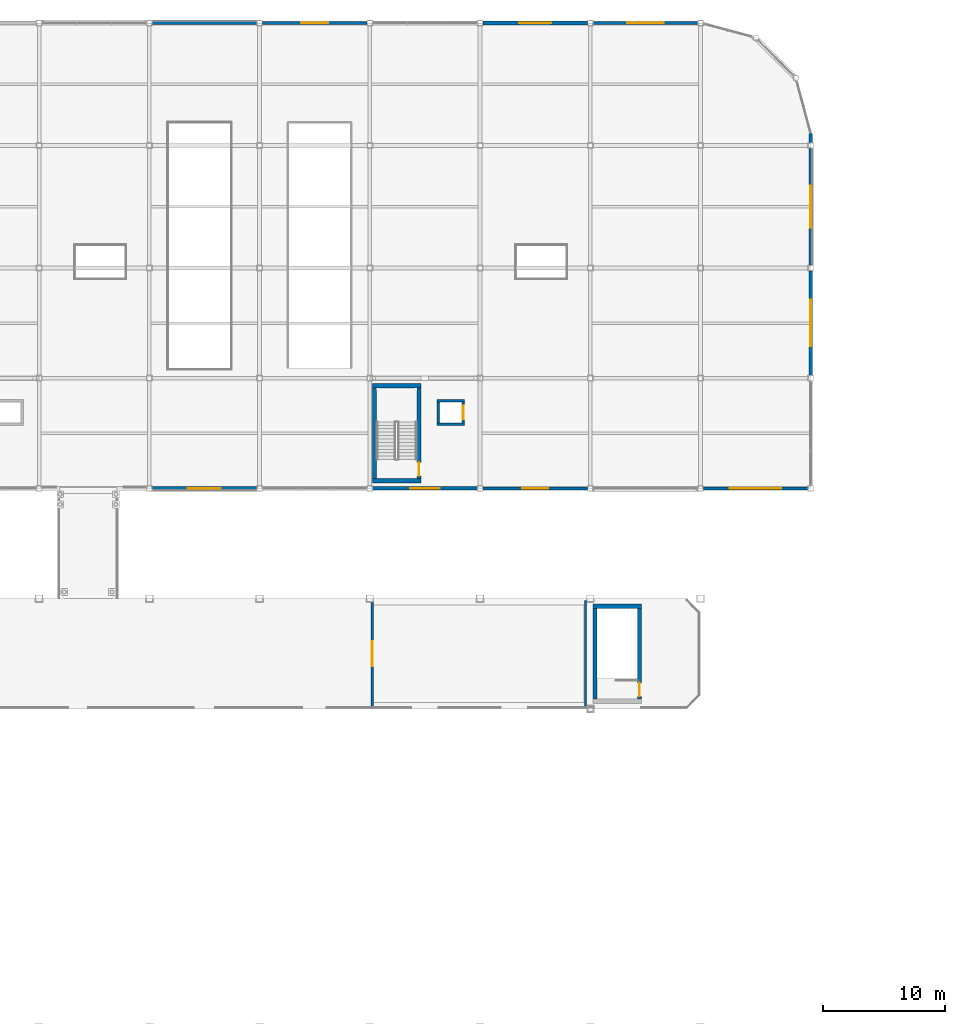
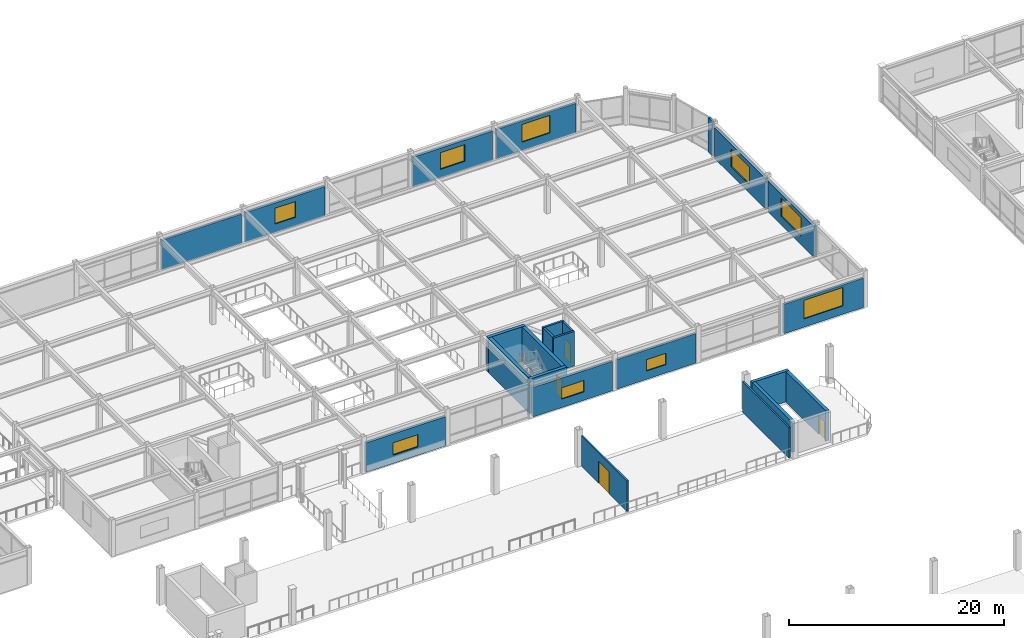
# One storey, part 76 of 105: 24 walls, 9 windows, 4 doors, 13 openings.
"""IFC4 building model written with IfcOpenShell, lengths in metres."""

from ifc_helpers import new_model, si_unit, direction, frame, frame_2d, origin, place, context, subcontext, project, spatial, rectangle, extrude, material, layer, layer_set, type_object, element, fill, save


model = new_model("IFC4")

# Units and contexts
model_context = context("Model", 3, precision=1e-05, world=origin(), true_north=direction((0.0, 1.0)))
body_context = subcontext(model_context, "Body", "Model", "MODEL_VIEW")
ifc_project = project(units=[si_unit("LENGTHUNIT", "METRE"), si_unit("AREAUNIT", "SQUARE_METRE"), si_unit("VOLUMEUNIT", "CUBIC_METRE"), si_unit("PLANEANGLEUNIT", "RADIAN"), si_unit("MASSUNIT", "GRAM", prefix="KILO")], contexts=[model_context])

# Site, building, storey
site_placement = place(None, origin())
site = spatial("IfcSite", under=ifc_project, at=site_placement, CompositionType="ELEMENT")
building_placement = place(site_placement, origin())
building = spatial("IfcBuilding", under=site, at=building_placement, Name="Suzunagisa Mobility Hub", CompositionType="ELEMENT")
storey_placement = place(building_placement, frame((0.0, 0.0, 5.10009765625)))
storey = spatial("IfcBuildingStorey", under=building, at=storey_placement, Name="L01", CompositionType="ELEMENT", Elevation=5.10009765625)

# Wall, opening, window
ifc_material_1 = material(Name="Porcelain-Faced Insulated Concrete C30/37 Wall", Category="concrete")
ifc_layer_1 = layer(ifc_material_1, 0.260009765625)
ifc_layer_set_1 = layer_set([ifc_layer_1], Name="Porcelain-Faced Insulated Concrete C30/37 Wall")
wall_type_1 = type_object("IfcWallType", Name="Exterior Wall EW-03 260mm", PredefinedType="SOLIDWALL", material=ifc_layer_set_1)
wall_1_placement = place(storey_placement, frame((99.22509765625, 80.0, 0.0), z_axis=(0.0, 0.0, 1.0), x_axis=(1.0, 0.0, 0.0)))
wall_1 = element("IfcWall", 1, at=wall_1_placement, inside=storey, type_object=wall_type_1, Name="L01 Exterior Facade Wall EW-182", PredefinedType="SOLIDWALL", context=body_context, shape_type="SweptSolid", body=[
    extrude(rectangle(XDim=8.5498046875, YDim=0.260009765625, at=frame_2d((4.27490234375, 0.0))), origin(), (0.0, 0.0, 1.0), 3.351806640625),
])
opening_1_placement = place(wall_1_placement, frame((3.22509765625, 0.0, 0.949951171875)))
opening_1 = element("IfcOpeningElement", 2, at=opening_1_placement, cuts=wall_1, Name="Opening WN-07", PredefinedType="OPENING", context=body_context, shape_type="SweptSolid", body=[
    extrude(rectangle(XDim=2.10009765625, YDim=1.300048828125, at=frame_2d((1.050048828125, 0.64990234375))), frame((0.0, 0.14111328125, 0.0), z_axis=(0.0, -1.0, 0.0), x_axis=(1.0, 0.0, 0.0)), (0.0, 0.0, 1.0), 0.281982421875),
])
ifc_material_2 = material(Name="Thermally Broken Anodized Aluminum and Low-E Double Glazing", Category="aluminium")
window_type_1 = type_object("IfcWindowType", Name="Aluminum Window WN-07 2100x1300", PartitioningType="SINGLE_PANEL", PredefinedType="WINDOW", material=ifc_material_2)
window_1_placement = place(opening_1_placement, origin())
window_1 = element("IfcWindow", 3, at=window_1_placement, inside=storey, type_object=window_type_1, Name="L01 Scheduled Facade Window WN-56", OverallHeight=1.300048828125, OverallWidth=2.10009765625, PartitioningType="SINGLE_PANEL", PredefinedType="WINDOW", context=body_context, shape_type="SweptSolid", body=[
    extrude(rectangle(XDim=2.10009765625, YDim=1.300048828125, at=frame_2d((1.050048828125, 0.64990234375))), frame((0.0, 0.030029296875, 0.0), z_axis=(0.0, -1.0, 0.0), x_axis=(1.0, 0.0, 0.0)), (0.0, 0.0, 1.0), 0.06005859375),
])
fill(opening_1, window_1)

# Walls
wall_2_placement = place(storey_placement, frame((126.0, 108.22509765625, 0.0), z_axis=(0.0, 0.0, 1.0), x_axis=(0.0, 1.0, 0.0)))
element("IfcWall", 4, at=wall_2_placement, inside=storey, type_object=wall_type_1, Name="L01 Exterior Facade Wall EW-186", PredefinedType="SOLIDWALL", context=body_context, shape_type="SweptSolid", body=[
    extrude(rectangle(XDim=0.77490234375, YDim=0.260009765625, at=frame_2d((0.387451171875, 0.0))), origin(), (0.0, 0.0, 1.0), 3.93994140625),
])
wall_3_placement = place(storey_placement, frame((80.77490234375, 118.0, 0.0), z_axis=(0.0, 0.0, 1.0), x_axis=(-1.0, 0.0, 0.0)))
element("IfcWall", 5, at=wall_3_placement, inside=storey, type_object=wall_type_1, Name="L01 Exterior Facade Wall EW-190", PredefinedType="SOLIDWALL", context=body_context, shape_type="SweptSolid", body=[
    extrude(rectangle(XDim=8.5498046875, YDim=0.260009765625, at=frame_2d((4.27490234375, 0.0))), origin(), (0.0, 0.0, 1.0), 3.351806640625),
])

# Wall, opening, window
ifc_material_3 = material(Name="Lightweight Insulated Autoclaved Concrete C30/37 Wall", Category="concrete")
ifc_layer_2 = layer(ifc_material_3, 0.239990234375)
ifc_layer_set_2 = layer_set([ifc_layer_2], Name="Lightweight Insulated Autoclaved Concrete C30/37 Wall")
wall_type_2 = type_object("IfcWallType", Name="Exterior Wall EW-04 240mm", PredefinedType="SOLIDWALL", material=ifc_layer_set_2)
wall_4_placement = place(storey_placement, frame((117.22509765625, 80.0, 0.0), z_axis=(0.0, 0.0, 1.0), x_axis=(1.0, 0.0, 0.0)))
wall_4 = element("IfcWall", 6, at=wall_4_placement, inside=storey, type_object=wall_type_2, Name="L01 Exterior Facade Wall EW-183", PredefinedType="SOLIDWALL", context=body_context, shape_type="SweptSolid", body=[
    extrude(rectangle(XDim=8.5498046875, YDim=0.239990234375, at=frame_2d((4.27490234375, 0.0))), origin(), (0.0, 0.0, 1.0), 3.351806640625),
])
opening_2_placement = place(wall_4_placement, frame((2.175048828125, 0.0, 0.949951171875)))
opening_2 = element("IfcOpeningElement", 7, at=opening_2_placement, cuts=wall_4, Name="Opening WN-16", PredefinedType="OPENING", context=body_context, shape_type="SweptSolid", body=[
    extrude(rectangle(XDim=4.199951171875, YDim=2.10009765625, at=frame_2d((2.10009765625, 1.050048828125))), frame((0.0, 0.130859375, 0.0), z_axis=(0.0, -1.0, 0.0), x_axis=(1.0, 0.0, 0.0)), (0.0, 0.0, 1.0), 0.261962890625),
])
window_type_2 = type_object("IfcWindowType", Name="Aluminum Window WN-16 4200x2100", PartitioningType="SINGLE_PANEL", PredefinedType="WINDOW", material=ifc_material_2)
window_2_placement = place(opening_2_placement, origin())
window_2 = element("IfcWindow", 8, at=window_2_placement, inside=storey, type_object=window_type_2, Name="L01 Scheduled Facade Window WN-57", OverallHeight=2.10009765625, OverallWidth=4.199951171875, PartitioningType="SINGLE_PANEL", PredefinedType="WINDOW", context=body_context, shape_type="SweptSolid", body=[
    extrude(rectangle(XDim=4.199951171875, YDim=2.10009765625, at=frame_2d((2.10009765625, 1.050048828125))), frame((0.0, 0.030029296875, 0.0), z_axis=(0.0, -1.0, 0.0), x_axis=(1.0, 0.0, 0.0)), (0.0, 0.0, 1.0), 0.06005859375),
])
fill(opening_2, window_2)

wall_5_placement = place(storey_placement, frame((116.77490234375, 118.0, 0.0), z_axis=(0.0, 0.0, 1.0), x_axis=(-1.0, 0.0, 0.0)))
wall_5 = element("IfcWall", 9, at=wall_5_placement, inside=storey, type_object=wall_type_2, Name="L01 Exterior Facade Wall EW-187", PredefinedType="SOLIDWALL", context=body_context, shape_type="SweptSolid", body=[
    extrude(rectangle(XDim=8.5498046875, YDim=0.239990234375, at=frame_2d((4.27490234375, 0.0))), origin(), (0.0, 0.0, 1.0), 3.351806640625),
])
opening_3_placement = place(wall_5_placement, frame((2.77490234375, 0.0, 0.949951171875)))
opening_3 = element("IfcOpeningElement", 10, at=opening_3_placement, cuts=wall_5, Name="Opening WN-03", PredefinedType="OPENING", context=body_context, shape_type="SweptSolid", body=[
    extrude(rectangle(XDim=3.0, YDim=2.0, at=frame_2d((1.5, 1.0))), frame((0.0, 0.130859375, 0.0), z_axis=(0.0, -1.0, 0.0), x_axis=(1.0, 0.0, 0.0)), (0.0, 0.0, 1.0), 0.261962890625),
])
window_type_3 = type_object("IfcWindowType", Name="Aluminum Window WN-03 3000x2000", PartitioningType="SINGLE_PANEL", PredefinedType="WINDOW", material=ifc_material_2)
window_3_placement = place(opening_3_placement, origin())
window_3 = element("IfcWindow", 11, at=window_3_placement, inside=storey, type_object=window_type_3, Name="L01 Scheduled Facade Window WN-60", OverallHeight=2.0, OverallWidth=3.0, PartitioningType="SINGLE_PANEL", PredefinedType="WINDOW", context=body_context, shape_type="SweptSolid", body=[
    extrude(rectangle(XDim=3.0, YDim=2.0, at=frame_2d((1.5, 1.0))), frame((0.0, 0.030029296875, 0.0), z_axis=(0.0, -1.0, 0.0), x_axis=(1.0, 0.0, 0.0)), (0.0, 0.0, 1.0), 0.06005859375),
])
fill(opening_3, window_3)

ifc_layer_3 = layer(ifc_material_1, 0.280029296875)
ifc_layer_set_3 = layer_set([ifc_layer_3], Name="Porcelain-Faced Insulated Concrete C30/37 Wall")
wall_type_3 = type_object("IfcWallType", Name="Exterior Wall EW-08 280mm", PredefinedType="SOLIDWALL", material=ifc_layer_set_3)
wall_6_placement = place(storey_placement, frame((90.22509765625, 80.0, 0.0), z_axis=(0.0, 0.0, 1.0), x_axis=(1.0, 0.0, 0.0)))
wall_6 = element("IfcWall", 12, at=wall_6_placement, inside=storey, type_object=wall_type_3, Name="L01 Exterior Facade Wall EW-181", PredefinedType="SOLIDWALL", context=body_context, shape_type="SweptSolid", body=[
    extrude(rectangle(XDim=8.5498046875, YDim=0.280029296875, at=frame_2d((4.27490234375, 0.0))), origin(), (0.0, 0.0, 1.0), 3.351806640625),
])
opening_4_placement = place(wall_6_placement, frame((3.074951171875, 0.0, 0.949951171875)))
opening_4 = element("IfcOpeningElement", 13, at=opening_4_placement, cuts=wall_6, Name="Opening WN-30", PredefinedType="OPENING", context=body_context, shape_type="SweptSolid", body=[
    extrude(rectangle(XDim=2.39990234375, YDim=1.300048828125, at=frame_2d((1.199951171875, 0.64990234375))), frame((0.0, 0.15087890625, 0.0), z_axis=(0.0, -1.0, 0.0), x_axis=(1.0, 0.0, 0.0)), (0.0, 0.0, 1.0), 0.302001953125),
])
window_type_4 = type_object("IfcWindowType", Name="Aluminum Window WN-30 2400x1300", PartitioningType="SINGLE_PANEL", PredefinedType="WINDOW", material=ifc_material_2)
window_4_placement = place(opening_4_placement, origin())
window_4 = element("IfcWindow", 14, at=window_4_placement, inside=storey, type_object=window_type_4, Name="L01 Scheduled Facade Window WN-55", OverallHeight=1.300048828125, OverallWidth=2.39990234375, PartitioningType="SINGLE_PANEL", PredefinedType="WINDOW", context=body_context, shape_type="SweptSolid", body=[
    extrude(rectangle(XDim=2.39990234375, YDim=1.300048828125, at=frame_2d((1.199951171875, 0.64990234375))), frame((0.0, 0.030029296875, 0.0), z_axis=(0.0, -1.0, 0.0), x_axis=(1.0, 0.0, 0.0)), (0.0, 0.0, 1.0), 0.06005859375),
])
fill(opening_4, window_4)

wall_7_placement = place(storey_placement, frame((126.0, 98.22509765625, 0.0), z_axis=(0.0, 0.0, 1.0), x_axis=(0.0, 1.0, 0.0)))
wall_7 = element("IfcWall", 15, at=wall_7_placement, inside=storey, type_object=wall_type_3, Name="L01 Exterior Facade Wall EW-185", PredefinedType="SOLIDWALL", context=body_context, shape_type="SweptSolid", body=[
    extrude(rectangle(XDim=9.5498046875, YDim=0.280029296875, at=frame_2d((4.77490234375, 0.0))), origin(), (0.0, 0.0, 1.0), 3.489990234375),
])
opening_5_placement = place(wall_7_placement, frame((3.074951171875, 0.0, 0.949951171875)))
opening_5 = element("IfcOpeningElement", 16, at=opening_5_placement, cuts=wall_7, Name="Opening WN-06", PredefinedType="OPENING", context=body_context, shape_type="SweptSolid", body=[
    extrude(rectangle(XDim=3.39990234375, YDim=2.0, at=frame_2d((1.699951171875, 1.0))), frame((0.0, 0.15087890625, 0.0), z_axis=(0.0, -1.0, 0.0), x_axis=(1.0, 0.0, 0.0)), (0.0, 0.0, 1.0), 0.302001953125),
])
window_type_5 = type_object("IfcWindowType", Name="Aluminum Window WN-06 3400x2000", PartitioningType="SINGLE_PANEL", PredefinedType="WINDOW", material=ifc_material_2)
window_5_placement = place(opening_5_placement, origin())
window_5 = element("IfcWindow", 17, at=window_5_placement, inside=storey, type_object=window_type_5, Name="L01 Scheduled Facade Window WN-59", OverallHeight=2.0, OverallWidth=3.39990234375, PartitioningType="SINGLE_PANEL", PredefinedType="WINDOW", context=body_context, shape_type="SweptSolid", body=[
    extrude(rectangle(XDim=3.39990234375, YDim=2.0, at=frame_2d((1.699951171875, 1.0))), frame((0.0, 0.030029296875, 0.0), z_axis=(0.0, -1.0, 0.0), x_axis=(1.0, 0.0, 0.0)), (0.0, 0.0, 1.0), 0.06005859375),
])
fill(opening_5, window_5)

wall_8_placement = place(storey_placement, frame((89.77490234375, 118.0, 0.0), z_axis=(0.0, 0.0, 1.0), x_axis=(-1.0, 0.0, 0.0)))
wall_8 = element("IfcWall", 18, at=wall_8_placement, inside=storey, type_object=wall_type_3, Name="L01 Exterior Facade Wall EW-189", PredefinedType="SOLIDWALL", context=body_context, shape_type="SweptSolid", body=[
    extrude(rectangle(XDim=8.5498046875, YDim=0.280029296875, at=frame_2d((4.27490234375, 0.0))), origin(), (0.0, 0.0, 1.0), 3.351806640625),
])
opening_6_placement = place(wall_8_placement, frame((3.175048828125, 0.0, 0.949951171875)))
opening_6 = element("IfcOpeningElement", 19, at=opening_6_placement, cuts=wall_8, Name="Opening WN-08", PredefinedType="OPENING", context=body_context, shape_type="SweptSolid", body=[
    extrude(rectangle(XDim=2.199951171875, YDim=1.800048828125, at=frame_2d((1.10009765625, 0.89990234375))), frame((0.0, 0.15087890625, 0.0), z_axis=(0.0, -1.0, 0.0), x_axis=(1.0, 0.0, 0.0)), (0.0, 0.0, 1.0), 0.302001953125),
])
window_type_6 = type_object("IfcWindowType", Name="Aluminum Window WN-08 2200x1800", PartitioningType="SINGLE_PANEL", PredefinedType="WINDOW", material=ifc_material_2)
window_6_placement = place(opening_6_placement, origin())
window_6 = element("IfcWindow", 20, at=window_6_placement, inside=storey, type_object=window_type_6, Name="L01 Scheduled Facade Window WN-62", OverallHeight=1.800048828125, OverallWidth=2.199951171875, PartitioningType="SINGLE_PANEL", PredefinedType="WINDOW", context=body_context, shape_type="SweptSolid", body=[
    extrude(rectangle(XDim=2.199951171875, YDim=1.800048828125, at=frame_2d((1.10009765625, 0.89990234375))), frame((0.0, 0.030029296875, 0.0), z_axis=(0.0, -1.0, 0.0), x_axis=(1.0, 0.0, 0.0)), (0.0, 0.0, 1.0), 0.06005859375),
])
fill(opening_6, window_6)

ifc_material_4 = material(Name="Insulated Precast Concrete C35/45 Panel", Category="concrete")
ifc_layer_4 = layer(ifc_material_4, 0.300048828125)
ifc_layer_set_4 = layer_set([ifc_layer_4], Name="Insulated Precast Concrete C35/45 Panel")
wall_type_4 = type_object("IfcWallType", Name="Exterior Wall EW-09 300mm", PredefinedType="SOLIDWALL", material=ifc_layer_set_4)
wall_9_placement = place(storey_placement, frame((72.22509765625, 80.0, 0.0), z_axis=(0.0, 0.0, 1.0), x_axis=(1.0, 0.0, 0.0)))
wall_9 = element("IfcWall", 21, at=wall_9_placement, inside=storey, type_object=wall_type_4, Name="L01 Exterior Facade Wall EW-180", PredefinedType="SOLIDWALL", context=body_context, shape_type="SweptSolid", body=[
    extrude(rectangle(XDim=8.5498046875, YDim=0.300048828125, at=frame_2d((4.27490234375, 0.0))), origin(), (0.0, 0.0, 1.0), 3.351806640625),
])
opening_7_placement = place(wall_9_placement, frame((2.925048828125, 0.0, 0.949951171875)))
opening_7 = element("IfcOpeningElement", 22, at=opening_7_placement, cuts=wall_9, Name="Opening WN-20", PredefinedType="OPENING", context=body_context, shape_type="SweptSolid", body=[
    extrude(rectangle(XDim=2.699951171875, YDim=1.39990234375, at=frame_2d((1.35009765625, 0.699951171875))), frame((0.0, 0.1611328125, 0.0), z_axis=(0.0, -1.0, 0.0), x_axis=(1.0, 0.0, 0.0)), (0.0, 0.0, 1.0), 0.322021484375),
])
window_type_7 = type_object("IfcWindowType", Name="Aluminum Window WN-20 2700x1400", PartitioningType="SINGLE_PANEL", PredefinedType="WINDOW", material=ifc_material_2)
window_7_placement = place(opening_7_placement, origin())
window_7 = element("IfcWindow", 23, at=window_7_placement, inside=storey, type_object=window_type_7, Name="L01 Scheduled Facade Window WN-54", OverallHeight=1.39990234375, OverallWidth=2.699951171875, PartitioningType="SINGLE_PANEL", PredefinedType="WINDOW", context=body_context, shape_type="SweptSolid", body=[
    extrude(rectangle(XDim=2.699951171875, YDim=1.39990234375, at=frame_2d((1.35009765625, 0.699951171875))), frame((0.0, 0.030029296875, 0.0), z_axis=(0.0, -1.0, 0.0), x_axis=(1.0, 0.0, 0.0)), (0.0, 0.0, 1.0), 0.06005859375),
])
fill(opening_7, window_7)

wall_10_placement = place(storey_placement, frame((126.0, 89.22509765625, 0.0), z_axis=(0.0, 0.0, 1.0), x_axis=(0.0, 1.0, 0.0)))
wall_10 = element("IfcWall", 24, at=wall_10_placement, inside=storey, type_object=wall_type_4, Name="L01 Exterior Facade Wall EW-184", PredefinedType="SOLIDWALL", context=body_context, shape_type="SweptSolid", body=[
    extrude(rectangle(XDim=8.5498046875, YDim=0.300048828125, at=frame_2d((4.27490234375, 0.0))), origin(), (0.0, 0.0, 1.0), 3.489990234375),
])
opening_8_placement = place(wall_10_placement, frame((2.375, 0.0, 0.949951171875)))
opening_8 = element("IfcOpeningElement", 25, at=opening_8_placement, cuts=wall_10, Name="Opening WN-18", PredefinedType="OPENING", context=body_context, shape_type="SweptSolid", body=[
    extrude(rectangle(XDim=3.800048828125, YDim=2.10009765625, at=frame_2d((1.89990234375, 1.050048828125))), frame((0.0, 0.1611328125, 0.0), z_axis=(0.0, -1.0, 0.0), x_axis=(1.0, 0.0, 0.0)), (0.0, 0.0, 1.0), 0.322021484375),
])
window_type_8 = type_object("IfcWindowType", Name="Aluminum Window WN-18 3800x2100", PartitioningType="SINGLE_PANEL", PredefinedType="WINDOW", material=ifc_material_2)
window_8_placement = place(opening_8_placement, origin())
window_8 = element("IfcWindow", 26, at=window_8_placement, inside=storey, type_object=window_type_8, Name="L01 Scheduled Facade Window WN-58", OverallHeight=2.10009765625, OverallWidth=3.800048828125, PartitioningType="SINGLE_PANEL", PredefinedType="WINDOW", context=body_context, shape_type="SweptSolid", body=[
    extrude(rectangle(XDim=3.800048828125, YDim=2.10009765625, at=frame_2d((1.89990234375, 1.050048828125))), frame((0.0, 0.030029296875, 0.0), z_axis=(0.0, -1.0, 0.0), x_axis=(1.0, 0.0, 0.0)), (0.0, 0.0, 1.0), 0.06005859375),
])
fill(opening_8, window_8)

wall_11_placement = place(storey_placement, frame((107.77490234375, 118.0, 0.0), z_axis=(0.0, 0.0, 1.0), x_axis=(-1.0, 0.0, 0.0)))
wall_11 = element("IfcWall", 27, at=wall_11_placement, inside=storey, type_object=wall_type_4, Name="L01 Exterior Facade Wall EW-188", PredefinedType="SOLIDWALL", context=body_context, shape_type="SweptSolid", body=[
    extrude(rectangle(XDim=8.5498046875, YDim=0.300048828125, at=frame_2d((4.27490234375, 0.0))), origin(), (0.0, 0.0, 1.0), 3.351806640625),
])
opening_9_placement = place(wall_11_placement, frame((2.97509765625, 0.0, 0.949951171875)))
opening_9 = element("IfcOpeningElement", 28, at=opening_9_placement, cuts=wall_11, Name="Opening WN-24", PredefinedType="OPENING", context=body_context, shape_type="SweptSolid", body=[
    extrude(rectangle(XDim=2.60009765625, YDim=1.89990234375, at=frame_2d((1.300048828125, 0.949951171875))), frame((0.0, 0.1611328125, 0.0), z_axis=(0.0, -1.0, 0.0), x_axis=(1.0, 0.0, 0.0)), (0.0, 0.0, 1.0), 0.322021484375),
])
window_type_9 = type_object("IfcWindowType", Name="Aluminum Window WN-24 2600x1900", PartitioningType="SINGLE_PANEL", PredefinedType="WINDOW", material=ifc_material_2)
window_9_placement = place(opening_9_placement, origin())
window_9 = element("IfcWindow", 29, at=window_9_placement, inside=storey, type_object=window_type_9, Name="L01 Scheduled Facade Window WN-61", OverallHeight=1.89990234375, OverallWidth=2.60009765625, PartitioningType="SINGLE_PANEL", PredefinedType="WINDOW", context=body_context, shape_type="SweptSolid", body=[
    extrude(rectangle(XDim=2.60009765625, YDim=1.89990234375, at=frame_2d((1.300048828125, 0.949951171875))), frame((0.0, 0.030029296875, 0.0), z_axis=(0.0, -1.0, 0.0), x_axis=(1.0, 0.0, 0.0)), (0.0, 0.0, 1.0), 0.06005859375),
])
fill(opening_9, window_9)

# Wall, opening, door
ifc_material_5 = material(Name="Fire-Rated Gypsum Stud Partition", Category="gypsum")
ifc_layer_5 = layer(ifc_material_5, 0.2099609375)
ifc_layer_set_5 = layer_set([ifc_layer_5], Name="Fire-Rated Gypsum Stud Partition")
wall_type_5 = type_object("IfcWallType", Name="Interior Wall IW-03 210mm", PredefinedType="PARTITIONING", material=ifc_layer_set_5)
wall_12_placement = place(storey_placement, frame((97.625, 85.330078125, 0.0), z_axis=(0.0, 0.0, 1.0), x_axis=(0.0, 1.0, 0.0)))
wall_12 = element("IfcWall", 30, at=wall_12_placement, inside=storey, type_object=wall_type_5, Name="L01 Lift LF-07 Shaft Front Wall", PredefinedType="PARTITIONING", context=body_context, shape_type="SweptSolid", body=[
    extrude(rectangle(XDim=1.739990234375, YDim=0.2099609375, at=frame_2d((0.8701171875, 0.0))), origin(), (0.0, 0.0, 1.0), 3.93994140625),
])
opening_10_placement = place(wall_12_placement, frame((0.320068359375, 0.0, 0.0)))
opening_10 = element("IfcOpeningElement", 31, at=opening_10_placement, cuts=wall_12, Name="Opening LD-01", PredefinedType="OPENING", context=body_context, shape_type="SweptSolid", body=[
    extrude(rectangle(XDim=1.10009765625, YDim=2.14990234375, at=frame_2d((0.550048828125, 1.074951171875))), frame((0.0, 0.115966796875, 0.0), z_axis=(0.0, -1.0, 0.0), x_axis=(1.0, 0.0, 0.0)), (0.0, 0.0, 1.0), 0.23193359375),
])
ifc_material_6 = material(Name="Brushed Stainless Steel SUS304", Category="metal")
door_type_1 = type_object("IfcDoorType", Name="Lift Landing Sliding Door LD-01 1100x2150", OperationType="SLIDING_TO_LEFT", PredefinedType="DOOR", material=ifc_material_6)
door_1_placement = place(opening_10_placement, origin())
door_1 = element("IfcDoor", 32, at=door_1_placement, inside=storey, type_object=door_type_1, Name="L01 Lift LF-07 Sliding Landing Door", OperationType="SLIDING_TO_LEFT", OverallHeight=2.14990234375, OverallWidth=1.10009765625, PredefinedType="DOOR", context=body_context, shape_type="SweptSolid", body=[
    extrude(rectangle(XDim=1.10009765625, YDim=2.14990234375, at=frame_2d((0.550048828125, 1.074951171875))), frame((0.0, 0.02490234375, 0.0), z_axis=(0.0, -1.0, 0.0), x_axis=(1.0, 0.0, 0.0)), (0.0, 0.0, 1.0), 0.050048828125),
])
fill(opening_10, door_1)

# Walls
wall_13_placement = place(storey_placement, frame((95.574951171875, 85.330078125, 0.0), z_axis=(0.0, 0.0, 1.0), x_axis=(0.0, 1.0, 0.0)))
element("IfcWall", 33, at=wall_13_placement, inside=storey, type_object=wall_type_5, Name="L01 Lift LF-07 Shaft Back Wall", PredefinedType="PARTITIONING", context=body_context, shape_type="SweptSolid", body=[
    extrude(rectangle(XDim=1.739990234375, YDim=0.2099609375, at=frame_2d((0.8701171875, 0.0))), origin(), (0.0, 0.0, 1.0), 3.93994140625),
])
for number, where, z_axis, x_axis, name in (
    (34, (95.469970703125, 85.22509765625, 0.0), (0.0, 0.0, 1.0), (1.0, 0.0, 0.0), "L01 Lift LF-07 Shaft South Wall"),
    (35, (95.469970703125, 87.175048828125, 0.0), (0.0, 0.0, 1.0), (1.0, 0.0, 0.0), "L01 Lift LF-07 Shaft North Wall"),
):
    element("IfcWall", number, at=place(storey_placement, frame(where, z_axis=z_axis, x_axis=x_axis)), inside=storey, type_object=wall_type_5, Name=name, PredefinedType="PARTITIONING", context=body_context, shape_type="SweptSolid", body=[
        extrude(rectangle(XDim=2.260009765625, YDim=0.2099609375, at=frame_2d((1.1298828125, 0.0))), origin(), (0.0, 0.0, 1.0), 3.93994140625),
    ])
ifc_material_7 = material(Name="Concrete C35/45", Category="concrete")
ifc_layer_6 = layer(ifc_material_7, 0.35009765625)
ifc_layer_set_6 = layer_set([ifc_layer_6], Name="Concrete C35/45")
wall_type_6 = type_object("IfcWallType", Name="Interior Wall IW-04 350mm", PredefinedType="SHEAR", material=ifc_layer_set_6)
wall_14_placement = place(storey_placement, frame((108.2099609375, 70.375, 0.0), z_axis=(0.0, 0.0, 1.0), x_axis=(1.0, 0.0, 0.0)))
element("IfcWall", 36, at=wall_14_placement, inside=storey, type_object=wall_type_6, Name="L01 Core C2B Shear Wall SW-106", PredefinedType="SHEAR", context=body_context, shape_type="SweptSolid", body=[
    extrude(rectangle(XDim=3.97998046875, YDim=0.35009765625, at=frame_2d((1.989990234375, 0.0))), origin(), (0.0, 0.0, 1.0), 3.47998046875),
])
wall_15_placement = place(storey_placement, frame((108.385009765625, 62.800048828125, 0.0), z_axis=(0.0, 0.0, 1.0), x_axis=(0.0, 1.0, 0.0)))
element("IfcWall", 37, at=wall_15_placement, inside=storey, type_object=wall_type_6, Name="L01 Core C2B Shear Wall SW-107", PredefinedType="SHEAR", context=body_context, shape_type="SweptSolid", body=[
    extrude(rectangle(XDim=7.39990234375, YDim=0.35009765625, at=frame_2d((3.699951171875, 0.0))), origin(), (0.0, 0.0, 1.0), 3.47998046875),
])

# Wall, opening, door
wall_16_placement = place(storey_placement, frame((112.014892578125, 62.800048828125, 0.0), z_axis=(0.0, 0.0, 1.0), x_axis=(0.0, 1.0, 0.0)))
wall_16 = element("IfcWall", 38, at=wall_16_placement, inside=storey, type_object=wall_type_6, Name="L01 Core C2B Shear Wall SW-108", PredefinedType="SHEAR", context=body_context, shape_type="SweptSolid", body=[
    extrude(rectangle(XDim=7.39990234375, YDim=0.35009765625, at=frame_2d((3.699951171875, 0.0))), origin(), (0.0, 0.0, 1.0), 3.47998046875),
])
opening_11_placement = place(wall_16_placement, frame((0.219970703125, 0.0, 0.0)))
opening_11 = element("IfcOpeningElement", 39, at=opening_11_placement, cuts=wall_16, Name="Opening DR-05", PredefinedType="OPENING", context=body_context, shape_type="SweptSolid", body=[
    extrude(rectangle(XDim=1.10009765625, YDim=2.14990234375, at=frame_2d((0.550048828125, 1.074951171875))), frame((0.0, 0.18603515625, 0.0), z_axis=(0.0, -1.0, 0.0), x_axis=(1.0, 0.0, 0.0)), (0.0, 0.0, 1.0), 0.3720703125),
])
ifc_material_8 = material(Name="Fire-Rated Hollow Steel Stair Door", Category="steel")
door_type_2 = type_object("IfcDoorType", Name="Interior Door DR-05 1100x2150", OperationType="SINGLE_SWING_LEFT", PredefinedType="DOOR", material=ifc_material_8)
door_2_placement = place(opening_11_placement, origin())
door_2 = element("IfcDoor", 40, at=door_2_placement, inside=storey, type_object=door_type_2, Name="L01 Core C2B Escape Stair Fire Door SD-25", OperationType="SINGLE_SWING_RIGHT", OverallHeight=2.14990234375, OverallWidth=1.10009765625, PredefinedType="DOOR", context=body_context, shape_type="SweptSolid", body=[
    extrude(rectangle(XDim=1.10009765625, YDim=2.14990234375, at=frame_2d((0.550048828125, 1.074951171875))), frame((0.0, 0.02490234375, 0.0), z_axis=(0.0, -1.0, 0.0), x_axis=(1.0, 0.0, 0.0)), (0.0, 0.0, 1.0), 0.050048828125),
])
fill(opening_11, door_2)

# Walls
for number, where, z_axis, x_axis, name in (
    (41, (90.2099609375, 80.625, 0.0), (0.0, 0.0, 1.0), (1.0, 0.0, 0.0), "L01 Core C4 Shear Wall SW-261"),
    (42, (90.2099609375, 88.375, 0.0), (0.0, 0.0, 1.0), (1.0, 0.0, 0.0), "L01 Core C4 Shear Wall SW-262"),
):
    element("IfcWall", number, at=place(storey_placement, frame(where, z_axis=z_axis, x_axis=x_axis)), inside=storey, type_object=wall_type_6, Name=name, PredefinedType="SHEAR", context=body_context, shape_type="SweptSolid", body=[
        extrude(rectangle(XDim=3.97998046875, YDim=0.35009765625, at=frame_2d((1.989990234375, 0.0))), origin(), (0.0, 0.0, 1.0), 3.93994140625),
    ])
wall_17_placement = place(storey_placement, frame((90.385009765625, 80.800048828125, 0.0), z_axis=(0.0, 0.0, 1.0), x_axis=(0.0, 1.0, 0.0)))
element("IfcWall", 43, at=wall_17_placement, inside=storey, type_object=wall_type_6, Name="L01 Core C4 Shear Wall SW-263", PredefinedType="SHEAR", context=body_context, shape_type="SweptSolid", body=[
    extrude(rectangle(XDim=7.39990234375, YDim=0.35009765625, at=frame_2d((3.699951171875, 0.0))), origin(), (0.0, 0.0, 1.0), 3.93994140625),
])

# Wall, opening, door
wall_18_placement = place(storey_placement, frame((94.014892578125, 80.800048828125, 0.0), z_axis=(0.0, 0.0, 1.0), x_axis=(0.0, 1.0, 0.0)))
wall_18 = element("IfcWall", 44, at=wall_18_placement, inside=storey, type_object=wall_type_6, Name="L01 Core C4 Shear Wall SW-264", PredefinedType="SHEAR", context=body_context, shape_type="SweptSolid", body=[
    extrude(rectangle(XDim=7.39990234375, YDim=0.35009765625, at=frame_2d((3.699951171875, 0.0))), origin(), (0.0, 0.0, 1.0), 3.93994140625),
])
opening_12_placement = place(wall_18_placement, frame((0.219970703125, 0.0, 0.0)))
opening_12 = element("IfcOpeningElement", 45, at=opening_12_placement, cuts=wall_18, Name="Opening DR-05", PredefinedType="OPENING", context=body_context, shape_type="SweptSolid", body=[
    extrude(rectangle(XDim=1.10009765625, YDim=2.14990234375, at=frame_2d((0.550048828125, 1.074951171875))), frame((0.0, 0.18603515625, 0.0), z_axis=(0.0, -1.0, 0.0), x_axis=(1.0, 0.0, 0.0)), (0.0, 0.0, 1.0), 0.3720703125),
])
door_3_placement = place(opening_12_placement, origin())
door_3 = element("IfcDoor", 46, at=door_3_placement, inside=storey, type_object=door_type_2, Name="L01 Core C4 Escape Stair Fire Door SD-64", OperationType="SINGLE_SWING_LEFT", OverallHeight=2.14990234375, OverallWidth=1.10009765625, PredefinedType="DOOR", context=body_context, shape_type="SweptSolid", body=[
    extrude(rectangle(XDim=1.10009765625, YDim=2.14990234375, at=frame_2d((0.550048828125, 1.074951171875))), frame((0.0, 0.02490234375, 0.0), z_axis=(0.0, -1.0, 0.0), x_axis=(1.0, 0.0, 0.0)), (0.0, 0.0, 1.0), 0.050048828125),
])
fill(opening_12, door_3)

ifc_layer_7 = layer(ifc_material_5, 0.169921875)
ifc_layer_set_7 = layer_set([ifc_layer_7], Name="Fire-Rated Gypsum Stud Partition")
wall_type_7 = type_object("IfcWallType", Name="Interior Wall IW-05 170mm", PredefinedType="PARTITIONING", material=ifc_layer_set_7)
wall_19_placement = place(storey_placement, frame((90.199951171875, 62.1650390625, 0.0), z_axis=(0.0, 0.0, 1.0), x_axis=(0.0, 1.0, 0.0)))
wall_19 = element("IfcWall", 47, at=wall_19_placement, inside=storey, type_object=wall_type_7, Name="L01 Transit VIP and Family Quiet Waiting Lounge Partition PW-763", PredefinedType="PARTITIONING", context=body_context, shape_type="SweptSolid", body=[
    extrude(rectangle(XDim=8.534912109375, YDim=0.169921875, at=frame_2d((4.267578125, 0.0))), origin(), (0.0, 0.0, 1.0), 3.47998046875),
])
opening_13_placement = place(wall_19_placement, frame((3.324951171875, 0.0, 0.0)))
opening_13 = element("IfcOpeningElement", 48, at=opening_13_placement, cuts=wall_19, Name="Opening DR-22", PredefinedType="OPENING", context=body_context, shape_type="SweptSolid", body=[
    extrude(rectangle(XDim=2.02001953125, YDim=2.5, at=frame_2d((1.010009765625, 1.25))), frame((0.0, 0.095947265625, 0.0), z_axis=(0.0, -1.0, 0.0), x_axis=(1.0, 0.0, 0.0)), (0.0, 0.0, 1.0), 0.19189453125),
])
ifc_material_9 = material(Name="Anodized Aluminum Double Pavilion Door", Category="aluminium")
door_type_3 = type_object("IfcDoorType", Name="Interior Door DR-22 2020x2500", OperationType="SINGLE_SWING_LEFT", PredefinedType="DOOR", material=ifc_material_9)
door_4_placement = place(opening_13_placement, origin())
door_4 = element("IfcDoor", 49, at=door_4_placement, inside=storey, type_object=door_type_3, Name="L01 Transit VIP and Family Quiet Waiting Lounge Door DR-192", OperationType="SINGLE_SWING_LEFT", OverallHeight=2.5, OverallWidth=2.02001953125, PredefinedType="DOOR", context=body_context, shape_type="SweptSolid", body=[
    extrude(rectangle(XDim=2.02001953125, YDim=2.5, at=frame_2d((1.010009765625, 1.25))), frame((0.0, 0.02490234375, 0.0), z_axis=(0.0, -1.0, 0.0), x_axis=(1.0, 0.0, 0.0)), (0.0, 0.0, 1.0), 0.050048828125),
])
fill(opening_13, door_4)

# Wall
wall_20_placement = place(storey_placement, frame((107.60009765625, 62.1650390625, 0.0), z_axis=(0.0, 0.0, 1.0), x_axis=(0.0, 1.0, 0.0)))
element("IfcWall", 50, at=wall_20_placement, inside=storey, type_object=wall_type_7, Name="L01 Transit VIP and Family Quiet Waiting Lounge Partition PW-764", PredefinedType="PARTITIONING", context=body_context, shape_type="SweptSolid", body=[
    extrude(rectangle(XDim=8.669921875, YDim=0.169921875, at=frame_2d((4.3349609375, 0.0))), origin(), (0.0, 0.0, 1.0), 3.47998046875),
])

save(model, "model.ifc")
